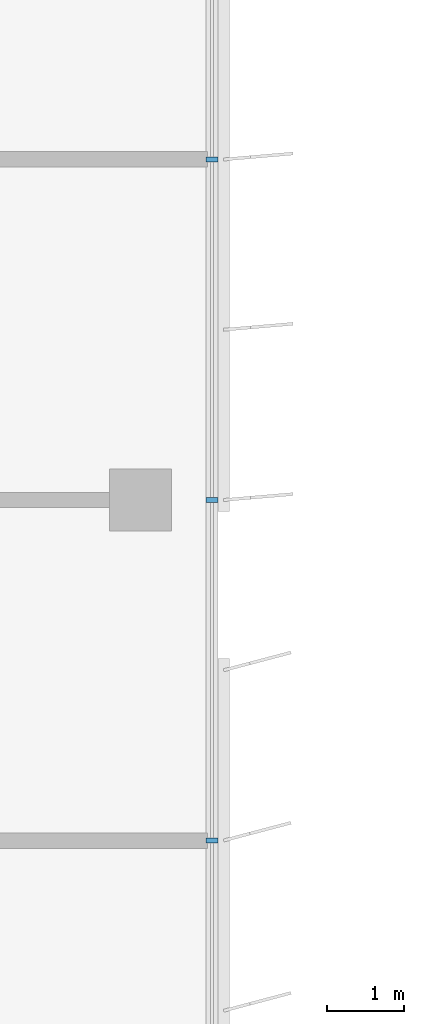
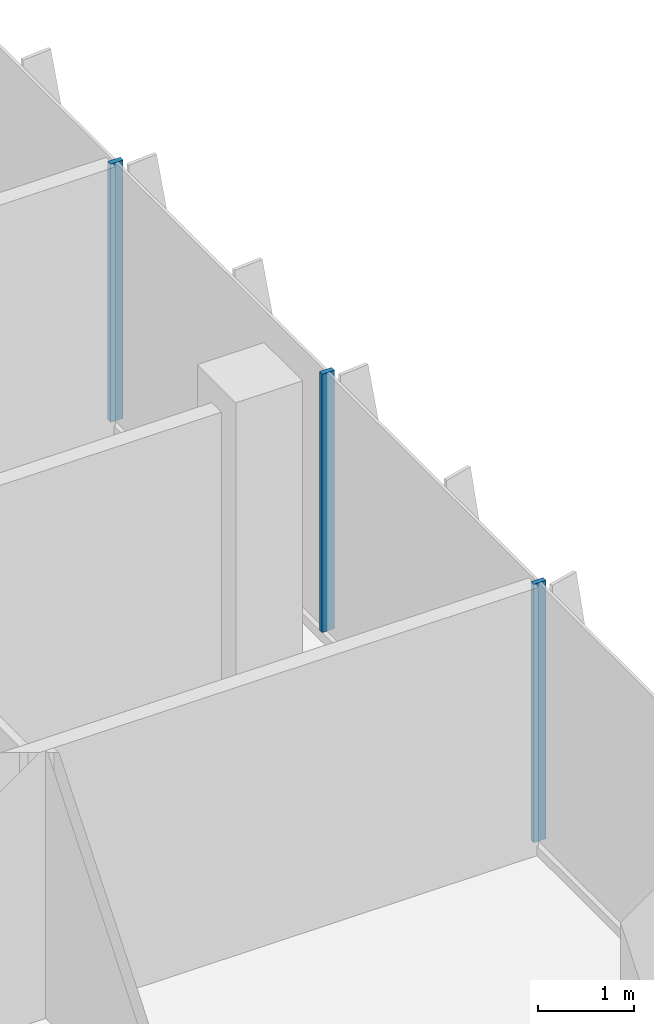
# One storey, part 4 of 17: 3 members, 1 element without a shape of its own.
"""IFC4 building model written with IfcOpenShell, lengths in metres."""

from ifc_helpers import new_model, si_unit, direction, frame, origin, origin_2d, place, context, subcontext, project, spatial, rectangle, extrude, source, transform, mapped, material, material_profile, profile_set, type_object, element, aggregate, save


model = new_model("IFC4")

# Units and contexts
model_context = context("Model", 3, precision=1e-05, world=origin(), true_north=direction((0.0, 1.0)))
body_context = subcontext(model_context, "Body", "Model", "MODEL_VIEW")
ifc_project = project(units=[si_unit("LENGTHUNIT", "METRE"), si_unit("AREAUNIT", "SQUARE_METRE"), si_unit("VOLUMEUNIT", "CUBIC_METRE"), si_unit("PLANEANGLEUNIT", "RADIAN"), si_unit("MASSUNIT", "GRAM", prefix="KILO")], contexts=[model_context])

# Site, building, storey
site_placement = place(None, origin())
site = spatial("IfcSite", under=ifc_project, at=site_placement, CompositionType="ELEMENT")
building_placement = place(site_placement, origin())
building = spatial("IfcBuilding", under=site, at=building_placement, Name="Kemantara Hotel Tower", CompositionType="ELEMENT")
storey_placement = place(building_placement, frame((0.0, 0.0, 226.5)))
storey = spatial("IfcBuildingStorey", under=building, at=storey_placement, Name="L56", CompositionType="ELEMENT", Elevation=226.5)

# Curtain wall, members
ifc_material_1 = material(Name="Low-E tinted double insulated glass 36 mm", Category="glass")
curtain_wall_type = type_object("IfcCurtainWallType", Name="TOWER CURTAIN WALL, FRONT FACES", PredefinedType="USERDEFINED", material=ifc_material_1)
curtain_wall_placement = place(storey_placement, origin())
curtain_wall = element("IfcCurtainWall", 1, at=curtain_wall_placement, inside=storey, type_object=curtain_wall_type, Name="CW4 L56 T4-R15-1", ObjectType="TOWER CURTAIN WALL, FRONT FACES", PredefinedType="USERDEFINED")
ifc_material_2 = material(Name="Aluminium 6063-T6 bronze anodised", Category="aluminium")
ifc_material_profile = material_profile(ifc_material_2, rectangle(XDim=0.14990234375, YDim=0.06005859375, at=origin_2d()), Name="TOWER CURTAIN WALL, FRONT FACES MULLION")
ifc_profile_set = profile_set([ifc_material_profile], Name="Aluminium 6063-T6 bronze anodised")
member_type = type_object("IfcMemberType", Name="TOWER CURTAIN WALL, FRONT FACES MULLION", PredefinedType="MULLION", material=ifc_profile_set)
shared_shape = source(origin(), body_context, "Body", "SweptSolid", [
    extrude(rectangle(XDim=0.14990234375, YDim=0.06005859375, at=origin_2d()), origin(), (0.0, 0.0, 1.0), 3.27978515625),
])
member_1_placement = place(storey_placement, frame((21.925048828125, 31.800048828125, 0.1201171875), z_axis=(0.0, 0.0, 1.0), x_axis=(-1.0, 0.0, 0.0)))
member_1 = element("IfcMember", 2, at=member_1_placement, type_object=member_type, Name="CW4 mullion T4-R15-1.3", PredefinedType="MULLION", context=body_context, shape_type="MappedRepresentation", body=[
    mapped(shared_shape, transform((0.0, 0.0, 0.0))),
])
member_2_placement = place(storey_placement, frame((21.925048828125, 36.199951171875, 0.1201171875), z_axis=(0.0, 0.0, 1.0), x_axis=(-1.0, 0.0, 0.0)))
member_2 = element("IfcMember", 3, at=member_2_placement, type_object=member_type, Name="CW4 mullion T4-R15-1.4", PredefinedType="MULLION", context=body_context, shape_type="MappedRepresentation", body=[
    mapped(shared_shape, transform((0.0, 0.0, 0.0))),
])
member_3_placement = place(storey_placement, frame((21.925048828125, 40.60009765625, 0.1201171875), z_axis=(0.0, 0.0, 1.0), x_axis=(-1.0, 0.0, 0.0)))
member_3 = element("IfcMember", 4, at=member_3_placement, type_object=member_type, Name="CW4 mullion T4-R15-1.5", PredefinedType="MULLION", context=body_context, shape_type="MappedRepresentation", body=[
    mapped(shared_shape, transform((0.0, 0.0, 0.0))),
])
aggregate(curtain_wall, [member_1, member_2, member_3])

save(model, "model.ifc")
